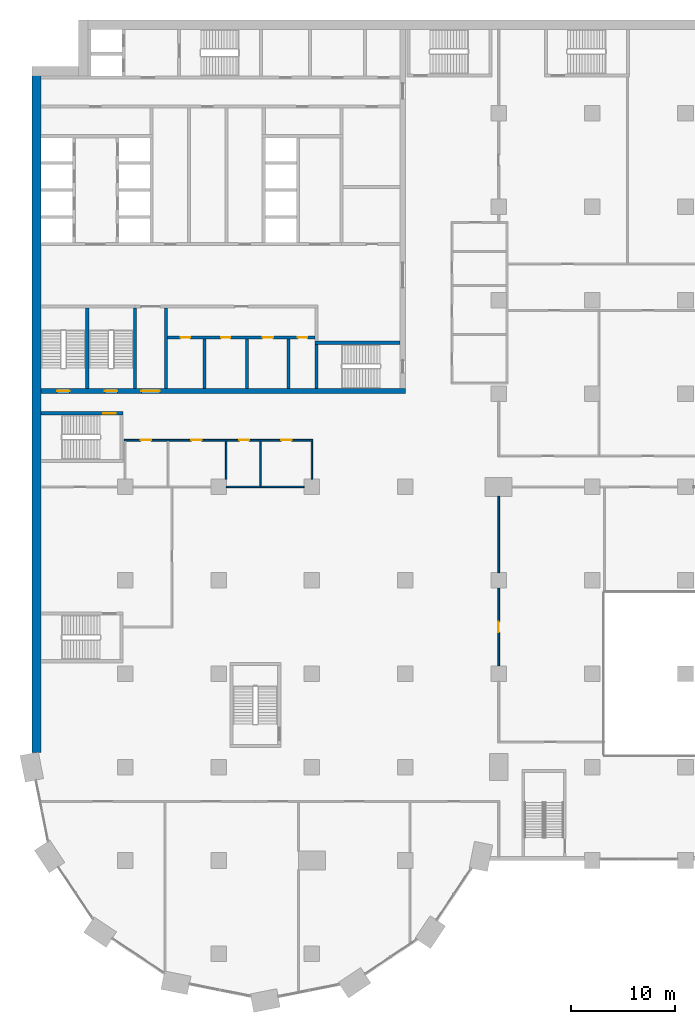
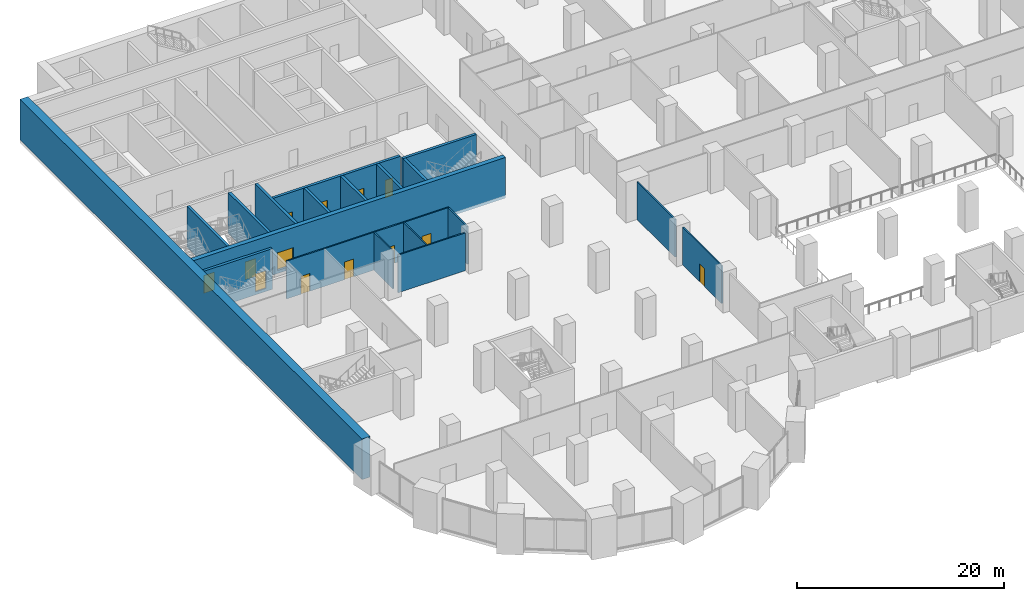
# One storey, part 24 of 49: 19 walls, 13 doors, 13 openings.
"""IFC4 building model written with IfcOpenShell, lengths in metres."""

from ifc_helpers import new_model, si_unit, direction, frame, frame_2d, origin, place, context, subcontext, project, spatial, rectangle, extrude, material, layer, layer_set, type_object, element, fill, save


model = new_model("IFC4")

# Units and contexts
model_context = context("Model", 3, precision=1e-05, world=origin(), true_north=direction((0.0, 1.0)))
body_context = subcontext(model_context, "Body", "Model", "MODEL_VIEW")
ifc_project = project(units=[si_unit("LENGTHUNIT", "METRE"), si_unit("AREAUNIT", "SQUARE_METRE"), si_unit("VOLUMEUNIT", "CUBIC_METRE"), si_unit("PLANEANGLEUNIT", "RADIAN"), si_unit("MASSUNIT", "GRAM", prefix="KILO")], contexts=[model_context])

# Site, building, storey
site_placement = place(None, origin())
site = spatial("IfcSite", under=ifc_project, at=site_placement, CompositionType="ELEMENT")
building_placement = place(site_placement, origin())
building = spatial("IfcBuilding", under=site, at=building_placement, Name="Hunhe Ridgeline Campus", CompositionType="ELEMENT")
storey_placement = place(building_placement, frame((0.0, 0.0, 21.60009765625)))
storey = spatial("IfcBuildingStorey", under=building, at=storey_placement, Name="L04", CompositionType="ELEMENT", Elevation=21.60009765625)

# Wall, opening, door
ifc_material_1 = material(Name="Plastered blockwork", Category="masonry")
ifc_layer_1 = layer(ifc_material_1, 0.14990234375)
ifc_layer_set_1 = layer_set([ifc_layer_1], Name="Blockwork partition 150")
wall_type_1 = type_object("IfcWallType", Name="Blockwork partition 150", PredefinedType="PARTITIONING", material=ifc_layer_set_1)
wall_1_placement = place(storey_placement, frame((45.0, 36.75, 0.0), z_axis=(0.0, 0.0, 1.0), x_axis=(0.0, 1.0, 0.0)))
wall_1 = element("IfcWall", 1, at=wall_1_placement, inside=storey, type_object=wall_type_1, Name="L04 partition", PredefinedType="PARTITIONING", context=body_context, shape_type="SweptSolid", body=[
    extrude(rectangle(XDim=7.5, YDim=0.14990234375, at=frame_2d((3.75, 0.0))), origin(), (0.0, 0.0, 1.0), 4.449951171875),
])
opening_1_placement = place(wall_1_placement, frame((3.25, 0.0, 0.0)))
opening_1 = element("IfcOpeningElement", 2, at=opening_1_placement, cuts=wall_1, Name="Opening PD509", PredefinedType="OPENING", context=body_context, shape_type="SweptSolid", body=[
    extrude(rectangle(XDim=1.0, YDim=2.10009765625, at=frame_2d((0.5, 1.050048828125))), frame((0.0, 0.074951171875, 0.0), z_axis=(0.0, -1.0, 0.0), x_axis=(1.0, 0.0, 0.0)), (0.0, 0.0, 1.0), 0.14990234375),
])
ifc_material_2 = material(Name="Timber", Category="wood")
door_type_1 = type_object("IfcDoorType", Name="Podium timber door 1000x2100", OperationType="NOTDEFINED", PredefinedType="DOOR", material=ifc_material_2)
door_1_placement = place(opening_1_placement, origin())
door_1 = element("IfcDoor", 3, at=door_1_placement, inside=storey, type_object=door_type_1, Name="Closed Stacks door", OperationType="SINGLE_SWING_RIGHT", OverallHeight=2.10009765625, OverallWidth=1.0, PredefinedType="DOOR", context=body_context, shape_type="SweptSolid", body=[
    extrude(rectangle(XDim=1.0, YDim=2.10009765625, at=frame_2d((0.5, 1.050048828125))), frame((0.0, 0.02490234375, 0.0), z_axis=(0.0, -1.0, 0.0), x_axis=(1.0, 0.0, 0.0)), (0.0, 0.0, 1.0), 0.050048828125),
])
fill(opening_1, door_1)

# Walls
wall_2_placement = place(storey_placement, frame((45.0, 45.75, 0.0), z_axis=(0.0, 0.0, 1.0), x_axis=(0.0, 1.0, 0.0)))
element("IfcWall", 4, at=wall_2_placement, inside=storey, type_object=wall_type_1, Name="L04 partition", PredefinedType="PARTITIONING", context=body_context, shape_type="SweptSolid", body=[
    extrude(rectangle(XDim=7.35009765625, YDim=0.14990234375, at=frame_2d((3.675048828125, 0.0))), origin(), (0.0, 0.0, 1.0), 4.449951171875),
])
wall_3_placement = place(storey_placement, frame((26.25, 54.0, 0.0), z_axis=(0.0, 0.0, 1.0), x_axis=(-1.0, 0.0, 0.0)))
element("IfcWall", 5, at=wall_3_placement, inside=storey, type_object=wall_type_1, Name="L04 partition", PredefinedType="PARTITIONING", context=body_context, shape_type="SweptSolid", body=[
    extrude(rectangle(XDim=7.5, YDim=0.14990234375, at=frame_2d((3.75, 0.0))), origin(), (0.0, 0.0, 1.0), 4.449951171875),
])

# Wall, openings, doors
wall_4_placement = place(storey_placement, frame((8.925048828125, 58.5, 0.0), z_axis=(0.0, 0.0, 1.0), x_axis=(1.0, 0.0, 0.0)))
wall_4 = element("IfcWall", 6, at=wall_4_placement, inside=storey, type_object=wall_type_1, Name="L04 partition", PredefinedType="PARTITIONING", context=body_context, shape_type="SweptSolid", body=[
    extrude(rectangle(XDim=18.14990234375, YDim=0.14990234375, at=frame_2d((9.074951171875, 0.0))), origin(), (0.0, 0.0, 1.0), 4.449951171875),
])
opening_2_placement = place(wall_4_placement, frame((1.574951171875, 0.0, 0.0)))
opening_2 = element("IfcOpeningElement", 7, at=opening_2_placement, cuts=wall_4, Name="Opening PD532", PredefinedType="OPENING", context=body_context, shape_type="SweptSolid", body=[
    extrude(rectangle(XDim=1.0, YDim=2.10009765625, at=frame_2d((0.5, 1.050048828125))), frame((0.0, 0.074951171875, 0.0), z_axis=(0.0, -1.0, 0.0), x_axis=(1.0, 0.0, 0.0)), (0.0, 0.0, 1.0), 0.14990234375),
])
opening_3_placement = place(wall_4_placement, frame((6.462890625, 0.0, 0.0)))
opening_3 = element("IfcOpeningElement", 8, at=opening_3_placement, cuts=wall_4, Name="Opening PD533", PredefinedType="OPENING", context=body_context, shape_type="SweptSolid", body=[
    extrude(rectangle(XDim=1.0, YDim=2.10009765625, at=frame_2d((0.5, 1.050048828125))), frame((0.0, 0.074951171875, 0.0), z_axis=(0.0, -1.0, 0.0), x_axis=(1.0, 0.0, 0.0)), (0.0, 0.0, 1.0), 0.14990234375),
])
opening_4_placement = place(wall_4_placement, frame((11.049072265625, 0.0, 0.0)))
opening_4 = element("IfcOpeningElement", 9, at=opening_4_placement, cuts=wall_4, Name="Opening PD534", PredefinedType="OPENING", context=body_context, shape_type="SweptSolid", body=[
    extrude(rectangle(XDim=1.0, YDim=2.10009765625, at=frame_2d((0.5, 1.050048828125))), frame((0.0, 0.074951171875, 0.0), z_axis=(0.0, -1.0, 0.0), x_axis=(1.0, 0.0, 0.0)), (0.0, 0.0, 1.0), 0.14990234375),
])
opening_5_placement = place(wall_4_placement, frame((15.10888671875, 0.0, 0.0)))
opening_5 = element("IfcOpeningElement", 10, at=opening_5_placement, cuts=wall_4, Name="Opening PD535", PredefinedType="OPENING", context=body_context, shape_type="SweptSolid", body=[
    extrude(rectangle(XDim=1.0, YDim=2.10009765625, at=frame_2d((0.5, 1.050048828125))), frame((0.0, 0.074951171875, 0.0), z_axis=(0.0, -1.0, 0.0), x_axis=(1.0, 0.0, 0.0)), (0.0, 0.0, 1.0), 0.14990234375),
])
door_2_placement = place(opening_2_placement, origin())
door_2 = element("IfcDoor", 11, at=door_2_placement, inside=storey, type_object=door_type_1, Name="Library Office door", OperationType="SINGLE_SWING_LEFT", OverallHeight=2.10009765625, OverallWidth=1.0, PredefinedType="DOOR", context=body_context, shape_type="SweptSolid", body=[
    extrude(rectangle(XDim=1.0, YDim=2.10009765625, at=frame_2d((0.5, 1.050048828125))), frame((0.0, 0.02490234375, 0.0), z_axis=(0.0, -1.0, 0.0), x_axis=(1.0, 0.0, 0.0)), (0.0, 0.0, 1.0), 0.050048828125),
])
fill(opening_2, door_2)
door_3_placement = place(opening_3_placement, origin())
door_3 = element("IfcDoor", 12, at=door_3_placement, inside=storey, type_object=door_type_1, Name="Library Office door", OperationType="SINGLE_SWING_LEFT", OverallHeight=2.10009765625, OverallWidth=1.0, PredefinedType="DOOR", context=body_context, shape_type="SweptSolid", body=[
    extrude(rectangle(XDim=1.0, YDim=2.10009765625, at=frame_2d((0.5, 1.050048828125))), frame((0.0, 0.02490234375, 0.0), z_axis=(0.0, -1.0, 0.0), x_axis=(1.0, 0.0, 0.0)), (0.0, 0.0, 1.0), 0.050048828125),
])
fill(opening_3, door_3)
door_4_placement = place(opening_4_placement, origin())
door_4 = element("IfcDoor", 13, at=door_4_placement, inside=storey, type_object=door_type_1, Name="Study Room door", OperationType="SINGLE_SWING_RIGHT", OverallHeight=2.10009765625, OverallWidth=1.0, PredefinedType="DOOR", context=body_context, shape_type="SweptSolid", body=[
    extrude(rectangle(XDim=1.0, YDim=2.10009765625, at=frame_2d((0.5, 1.050048828125))), frame((0.0, 0.02490234375, 0.0), z_axis=(0.0, -1.0, 0.0), x_axis=(1.0, 0.0, 0.0)), (0.0, 0.0, 1.0), 0.050048828125),
])
fill(opening_4, door_4)
door_5_placement = place(opening_5_placement, origin())
door_5 = element("IfcDoor", 14, at=door_5_placement, inside=storey, type_object=door_type_1, Name="Study Room door", OperationType="SINGLE_SWING_RIGHT", OverallHeight=2.10009765625, OverallWidth=1.0, PredefinedType="DOOR", context=body_context, shape_type="SweptSolid", body=[
    extrude(rectangle(XDim=1.0, YDim=2.10009765625, at=frame_2d((0.5, 1.050048828125))), frame((0.0, 0.02490234375, 0.0), z_axis=(0.0, -1.0, 0.0), x_axis=(1.0, 0.0, 0.0)), (0.0, 0.0, 1.0), 0.050048828125),
])
fill(opening_5, door_5)

# Walls
wall_5_placement = place(storey_placement, frame((18.72412109375, 54.75, 0.0), z_axis=(0.0, 0.0, 1.0), x_axis=(0.0, 1.0, 0.0)))
element("IfcWall", 15, at=wall_5_placement, inside=storey, type_object=wall_type_1, Name="L04 partition", PredefinedType="PARTITIONING", context=body_context, shape_type="SweptSolid", body=[
    extrude(rectangle(XDim=3.675048828125, YDim=0.14990234375, at=frame_2d((1.83740234375, 0.0))), origin(), (0.0, 0.0, 1.0), 4.449951171875),
])
wall_6_placement = place(storey_placement, frame((22.033935546875, 54.074951171875, 0.0), z_axis=(0.0, 0.0, 1.0), x_axis=(0.0, 1.0, 0.0)))
element("IfcWall", 16, at=wall_6_placement, inside=storey, type_object=wall_type_1, Name="L04 partition", PredefinedType="PARTITIONING", context=body_context, shape_type="SweptSolid", body=[
    extrude(rectangle(XDim=4.35009765625, YDim=0.14990234375, at=frame_2d((2.175048828125, 0.0))), origin(), (0.0, 0.0, 1.0), 4.449951171875),
])
wall_7_placement = place(storey_placement, frame((27.0, 58.425048828125, 0.0), z_axis=(0.0, 0.0, 1.0), x_axis=(0.0, -1.0, 0.0)))
element("IfcWall", 17, at=wall_7_placement, inside=storey, type_object=wall_type_1, Name="L04 partition", PredefinedType="PARTITIONING", context=body_context, shape_type="SweptSolid", body=[
    extrude(rectangle(XDim=3.675048828125, YDim=0.14990234375, at=frame_2d((1.83740234375, 0.0))), origin(), (0.0, 0.0, 1.0), 4.449951171875),
])

# Wall, openings, doors
ifc_material_3 = material(Name="Masonry concrete blockwork", Category="masonry")
ifc_layer_2 = layer(ifc_material_3, 0.300048828125)
ifc_layer_set_2 = layer_set([ifc_layer_2], Name="Core room partition 300 concrete block")
wall_type_2 = type_object("IfcWallType", Name="Core room partition 300 concrete block", PredefinedType="PARTITIONING", material=ifc_layer_set_2)
wall_8_placement = place(storey_placement, frame((13.10009765625, 68.39990234375, 0.0), z_axis=(0.0, 0.0, 1.0), x_axis=(1.0, 0.0, 0.0)))
wall_8 = element("IfcWall", 18, at=wall_8_placement, inside=storey, type_object=wall_type_2, Name="L04 core partition 10", PredefinedType="PARTITIONING", context=body_context, shape_type="SweptSolid", body=[
    extrude(rectangle(XDim=14.199951171875, YDim=0.300048828125, at=frame_2d((7.10009765625, 0.0))), origin(), (0.0, 0.0, 1.0), 4.449951171875),
])
opening_6_placement = place(wall_8_placement, frame((1.25, 0.0, 0.0)))
opening_6 = element("IfcOpeningElement", 19, at=opening_6_placement, cuts=wall_8, Name="Opening CD8", PredefinedType="OPENING", context=body_context, shape_type="SweptSolid", body=[
    extrude(rectangle(XDim=0.89990234375, YDim=2.10009765625, at=frame_2d((0.449951171875, 1.050048828125))), frame((0.0, 0.14990234375, 0.0), z_axis=(0.0, -1.0, 0.0), x_axis=(1.0, 0.0, 0.0)), (0.0, 0.0, 1.0), 0.300048828125),
])
opening_7_placement = place(wall_8_placement, frame((5.14990234375, 0.0, 0.0)))
opening_7 = element("IfcOpeningElement", 20, at=opening_7_placement, cuts=wall_8, Name="Opening CD9", PredefinedType="OPENING", context=body_context, shape_type="SweptSolid", body=[
    extrude(rectangle(XDim=0.89990234375, YDim=2.10009765625, at=frame_2d((0.449951171875, 1.050048828125))), frame((0.0, 0.14990234375, 0.0), z_axis=(0.0, -1.0, 0.0), x_axis=(1.0, 0.0, 0.0)), (0.0, 0.0, 1.0), 0.300048828125),
])
opening_8_placement = place(wall_8_placement, frame((9.14990234375, 0.0, 0.0)))
opening_8 = element("IfcOpeningElement", 21, at=opening_8_placement, cuts=wall_8, Name="Opening CD10", PredefinedType="OPENING", context=body_context, shape_type="SweptSolid", body=[
    extrude(rectangle(XDim=1.0, YDim=2.10009765625, at=frame_2d((0.5, 1.050048828125))), frame((0.0, 0.14990234375, 0.0), z_axis=(0.0, -1.0, 0.0), x_axis=(1.0, 0.0, 0.0)), (0.0, 0.0, 1.0), 0.300048828125),
])
opening_9_placement = place(wall_8_placement, frame((12.550048828125, 0.0, 0.0)))
opening_9 = element("IfcOpeningElement", 22, at=opening_9_placement, cuts=wall_8, Name="Opening CD11", PredefinedType="OPENING", context=body_context, shape_type="SweptSolid", body=[
    extrude(rectangle(XDim=0.89990234375, YDim=2.10009765625, at=frame_2d((0.449951171875, 1.050048828125))), frame((0.0, 0.14990234375, 0.0), z_axis=(0.0, -1.0, 0.0), x_axis=(1.0, 0.0, 0.0)), (0.0, 0.0, 1.0), 0.300048828125),
])
ifc_material_4 = material(Name="Solid core timber door leaf", Category="wood")
door_type_2 = type_object("IfcDoorType", Name="Timber door 1000x2100", OperationType="SINGLE_SWING_LEFT", PredefinedType="DOOR", material=ifc_material_4)
door_6_placement = place(opening_8_placement, frame((1.0, 0.0, 0.0), z_axis=(0.0, 0.0, 1.0), x_axis=(-1.0, 0.0, 0.0)))
door_6 = element("IfcDoor", 23, at=door_6_placement, inside=storey, type_object=door_type_2, Name="L04 door WC3", OperationType="SINGLE_SWING_RIGHT", OverallHeight=2.10009765625, OverallWidth=1.0, PredefinedType="DOOR", context=body_context, shape_type="SweptSolid", body=[
    extrude(rectangle(XDim=1.0, YDim=2.10009765625, at=frame_2d((0.5, 1.050048828125))), frame((0.0, 0.02490234375, 0.0), z_axis=(0.0, -1.0, 0.0), x_axis=(1.0, 0.0, 0.0)), (0.0, 0.0, 1.0), 0.050048828125),
])
fill(opening_8, door_6)
door_type_3 = type_object("IfcDoorType", Name="Timber door 900x2100", OperationType="SINGLE_SWING_LEFT", PredefinedType="DOOR", material=ifc_material_4)
door_7_placement = place(opening_6_placement, frame((0.89990234375, 0.0, 0.0), z_axis=(0.0, 0.0, 1.0), x_axis=(-1.0, 0.0, 0.0)))
door_7 = element("IfcDoor", 24, at=door_7_placement, inside=storey, type_object=door_type_3, Name="L04 door WC1", OperationType="SINGLE_SWING_RIGHT", OverallHeight=2.10009765625, OverallWidth=0.89990234375, PredefinedType="DOOR", context=body_context, shape_type="SweptSolid", body=[
    extrude(rectangle(XDim=0.89990234375, YDim=2.10009765625, at=frame_2d((0.449951171875, 1.050048828125))), frame((0.0, 0.02490234375, 0.0), z_axis=(0.0, -1.0, 0.0), x_axis=(1.0, 0.0, 0.0)), (0.0, 0.0, 1.0), 0.050048828125),
])
fill(opening_6, door_7)
door_8_placement = place(opening_7_placement, frame((0.89990234375, 0.0, 0.0), z_axis=(0.0, 0.0, 1.0), x_axis=(-1.0, 0.0, 0.0)))
door_8 = element("IfcDoor", 25, at=door_8_placement, inside=storey, type_object=door_type_3, Name="L04 door WC2", OperationType="SINGLE_SWING_LEFT", OverallHeight=2.10009765625, OverallWidth=0.89990234375, PredefinedType="DOOR", context=body_context, shape_type="SweptSolid", body=[
    extrude(rectangle(XDim=0.89990234375, YDim=2.10009765625, at=frame_2d((0.449951171875, 1.050048828125))), frame((0.0, 0.02490234375, 0.0), z_axis=(0.0, -1.0, 0.0), x_axis=(1.0, 0.0, 0.0)), (0.0, 0.0, 1.0), 0.050048828125),
])
fill(opening_7, door_8)
door_9_placement = place(opening_9_placement, frame((0.89990234375, 0.0, 0.0), z_axis=(0.0, 0.0, 1.0), x_axis=(-1.0, 0.0, 0.0)))
door_9 = element("IfcDoor", 26, at=door_9_placement, inside=storey, type_object=door_type_3, Name="L04 door WC4", OperationType="SINGLE_SWING_LEFT", OverallHeight=2.10009765625, OverallWidth=0.89990234375, PredefinedType="DOOR", context=body_context, shape_type="SweptSolid", body=[
    extrude(rectangle(XDim=0.89990234375, YDim=2.10009765625, at=frame_2d((0.449951171875, 1.050048828125))), frame((0.0, 0.02490234375, 0.0), z_axis=(0.0, -1.0, 0.0), x_axis=(1.0, 0.0, 0.0)), (0.0, 0.0, 1.0), 0.050048828125),
])
fill(opening_9, door_9)

# Walls
wall_9_placement = place(storey_placement, frame((12.949951171875, 63.5, 0.0), z_axis=(0.0, 0.0, 1.0), x_axis=(0.0, 1.0, 0.0)))
element("IfcWall", 27, at=wall_9_placement, inside=storey, type_object=wall_type_2, Name="L04 core partition 45", PredefinedType="PARTITIONING", context=body_context, shape_type="SweptSolid", body=[
    extrude(rectangle(XDim=7.75, YDim=0.300048828125, at=frame_2d((3.875, 0.0))), origin(), (0.0, 0.0, 1.0), 4.449951171875),
])
for number, where, z_axis, x_axis, name in (
    (28, (16.64990234375, 63.5, 0.0), (0.0, 0.0, 1.0), (0.0, 1.0, 0.0), "L04 core partition 48"),
    (29, (20.75, 63.5, 0.0), (0.0, 0.0, 1.0), (0.0, 1.0, 0.0), "L04 core partition 51"),
    (30, (24.75, 63.5, 0.0), (0.0, 0.0, 1.0), (0.0, 1.0, 0.0), "L04 core partition 56"),
):
    element("IfcWall", number, at=place(storey_placement, frame(where, z_axis=z_axis, x_axis=x_axis)), inside=storey, type_object=wall_type_2, Name=name, PredefinedType="PARTITIONING", context=body_context, shape_type="SweptSolid", body=[
        extrude(rectangle(XDim=4.75, YDim=0.300048828125, at=frame_2d((2.375, 0.0))), origin(), (0.0, 0.0, 1.0), 4.449951171875),
    ])

# Wall, openings, doors
ifc_material_5 = material(Name="Concrete C80", Category="concrete")
ifc_layer_3 = layer(ifc_material_5, 0.5)
ifc_layer_set_3 = layer_set([ifc_layer_3], Name="Core wall 500 reinforced concrete C80")
wall_type_3 = type_object("IfcWallType", Name="Core wall 500 reinforced concrete C80", PredefinedType="SOLIDWALL", material=ifc_layer_set_3)
wall_10_placement = place(storey_placement, frame((0.89990234375, 63.25, -0.35009765625), z_axis=(0.0, 0.0, 1.0), x_axis=(1.0, 0.0, 0.0)))
wall_10 = element("IfcWall", 31, at=wall_10_placement, inside=storey, type_object=wall_type_3, Name="L04 core wall 7", PredefinedType="SOLIDWALL", context=body_context, shape_type="SweptSolid", body=[
    extrude(rectangle(XDim=35.10009765625, YDim=0.5, at=frame_2d((17.550048828125, 0.0))), origin(), (0.0, 0.0, 1.0), 4.800048828125),
])
opening_10_placement = place(wall_10_placement, frame((9.64990234375, 0.0, 0.35009765625)))
opening_10 = element("IfcOpeningElement", 32, at=opening_10_placement, cuts=wall_10, Name="Opening CD6", PredefinedType="OPENING", context=body_context, shape_type="SweptSolid", body=[
    extrude(rectangle(XDim=1.800048828125, YDim=2.10009765625, at=frame_2d((0.89990234375, 1.050048828125))), frame((0.0, 0.25, 0.0), z_axis=(0.0, -1.0, 0.0), x_axis=(1.0, 0.0, 0.0)), (0.0, 0.0, 1.0), 0.5),
])
opening_11_placement = place(wall_10_placement, frame((1.550048828125, 0.0, 0.35009765625)))
opening_11 = element("IfcOpeningElement", 33, at=opening_11_placement, cuts=wall_10, Name="Opening CD13", PredefinedType="OPENING", context=body_context, shape_type="SweptSolid", body=[
    extrude(rectangle(XDim=1.199951171875, YDim=2.10009765625, at=frame_2d((0.60009765625, 1.050048828125))), frame((0.0, 0.25, 0.0), z_axis=(0.0, -1.0, 0.0), x_axis=(1.0, 0.0, 0.0)), (0.0, 0.0, 1.0), 0.5),
])
opening_12_placement = place(wall_10_placement, frame((6.14990234375, 0.0, 0.35009765625)))
opening_12 = element("IfcOpeningElement", 34, at=opening_12_placement, cuts=wall_10, Name="Opening CD14", PredefinedType="OPENING", context=body_context, shape_type="SweptSolid", body=[
    extrude(rectangle(XDim=1.199951171875, YDim=2.10009765625, at=frame_2d((0.60009765625, 1.050048828125))), frame((0.0, 0.25, 0.0), z_axis=(0.0, -1.0, 0.0), x_axis=(1.0, 0.0, 0.0)), (0.0, 0.0, 1.0), 0.5),
])
ifc_material_6 = material(Name="Anodised aluminium and glass", Category="aluminium")
door_type_4 = type_object("IfcDoorType", Name="Glazed double door 1800x2100", OperationType="DOUBLE_DOOR_SINGLE_SWING", PredefinedType="DOOR", material=ifc_material_6)
door_10_placement = place(opening_10_placement, frame((1.800048828125, 0.0, 0.0), z_axis=(0.0, 0.0, 1.0), x_axis=(-1.0, 0.0, 0.0)))
door_10 = element("IfcDoor", 35, at=door_10_placement, inside=storey, type_object=door_type_4, Name="L04 door VEST-FLOOR", OperationType="DOUBLE_DOOR_SINGLE_SWING", OverallHeight=2.10009765625, OverallWidth=1.800048828125, PredefinedType="DOOR", context=body_context, shape_type="SweptSolid", body=[
    extrude(rectangle(XDim=1.800048828125, YDim=2.10009765625, at=frame_2d((0.89990234375, 1.050048828125))), frame((0.0, 0.02490234375, 0.0), z_axis=(0.0, -1.0, 0.0), x_axis=(1.0, 0.0, 0.0)), (0.0, 0.0, 1.0), 0.050048828125),
])
fill(opening_10, door_10)
ifc_material_7 = material(Name="Hollow metal fire door leaf")
door_type_5 = type_object("IfcDoorType", Name="Stair door 1200x2100 FD60", OperationType="SINGLE_SWING_LEFT", PredefinedType="DOOR", material=ifc_material_7)
door_11_placement = place(opening_11_placement, frame((1.199951171875, 0.0, 0.0), z_axis=(0.0, 0.0, 1.0), x_axis=(-1.0, 0.0, 0.0)))
door_11 = element("IfcDoor", 36, at=door_11_placement, inside=storey, type_object=door_type_5, Name="L04 door S3", OperationType="SINGLE_SWING_RIGHT", OverallHeight=2.10009765625, OverallWidth=1.199951171875, PredefinedType="DOOR", context=body_context, shape_type="SweptSolid", body=[
    extrude(rectangle(XDim=1.199951171875, YDim=2.10009765625, at=frame_2d((0.60009765625, 1.050048828125))), frame((0.0, 0.02490234375, 0.0), z_axis=(0.0, -1.0, 0.0), x_axis=(1.0, 0.0, 0.0)), (0.0, 0.0, 1.0), 0.050048828125),
])
fill(opening_11, door_11)
door_12_placement = place(opening_12_placement, frame((1.199951171875, 0.0, 0.0), z_axis=(0.0, 0.0, 1.0), x_axis=(-1.0, 0.0, 0.0)))
door_12 = element("IfcDoor", 37, at=door_12_placement, inside=storey, type_object=door_type_5, Name="L04 door S4", OperationType="SINGLE_SWING_LEFT", OverallHeight=2.10009765625, OverallWidth=1.199951171875, PredefinedType="DOOR", context=body_context, shape_type="SweptSolid", body=[
    extrude(rectangle(XDim=1.199951171875, YDim=2.10009765625, at=frame_2d((0.60009765625, 1.050048828125))), frame((0.0, 0.02490234375, 0.0), z_axis=(0.0, -1.0, 0.0), x_axis=(1.0, 0.0, 0.0)), (0.0, 0.0, 1.0), 0.050048828125),
])
fill(opening_12, door_12)

# Wall
ifc_layer_4 = layer(ifc_material_5, 0.89990234375)
ifc_layer_set_4 = layer_set([ifc_layer_4], Name="Spine wall 900 Concrete C80")
wall_type_4 = type_object("IfcWallType", Name="Spine wall 900 Concrete C80", PredefinedType="SHEAR", material=ifc_layer_set_4)
wall_11_placement = place(storey_placement, frame((0.449951171875, 94.5, 0.0), z_axis=(0.0, 0.0, 1.0), x_axis=(0.0, -1.0, 0.0)))
element("IfcWall", 38, at=wall_11_placement, inside=storey, type_object=wall_type_4, Name="Spine wall SW1-1 L04", PredefinedType="SHEAR", context=body_context, shape_type="SweptSolid", body=[
    extrude(rectangle(XDim=66.0849609375, YDim=0.89990234375, at=frame_2d((33.04248046875, 0.0))), origin(), (0.0, 0.0, 1.0), 4.7998046875),
])

# Wall, opening, door
ifc_layer_5 = layer(ifc_material_5, 0.300048828125)
ifc_layer_set_5 = layer_set([ifc_layer_5], Name="Stair wall 300 reinforced concrete C80")
wall_type_5 = type_object("IfcWallType", Name="Stair wall 300 reinforced concrete C80", PredefinedType="SOLIDWALL", material=ifc_layer_set_5)
wall_12_placement = place(storey_placement, frame((0.89990234375, 61.10009765625, -0.35009765625), z_axis=(0.0, 0.0, 1.0), x_axis=(1.0, 0.0, 0.0)))
wall_12 = element("IfcWall", 39, at=wall_12_placement, inside=storey, type_object=wall_type_5, Name="L04 core wall 6", PredefinedType="SOLIDWALL", context=body_context, shape_type="SweptSolid", body=[
    extrude(rectangle(XDim=7.900146484375, YDim=0.300048828125, at=frame_2d((3.9501953125, 0.0))), origin(), (0.0, 0.0, 1.0), 4.800048828125),
])
opening_13_placement = place(wall_12_placement, frame((6.0, 0.0, 0.35009765625)))
opening_13 = element("IfcOpeningElement", 40, at=opening_13_placement, cuts=wall_12, Name="Opening CD22", PredefinedType="OPENING", context=body_context, shape_type="SweptSolid", body=[
    extrude(rectangle(XDim=1.199951171875, YDim=2.10009765625, at=frame_2d((0.60009765625, 1.050048828125))), frame((0.0, 0.14990234375, 0.0), z_axis=(0.0, -1.0, 0.0), x_axis=(1.0, 0.0, 0.0)), (0.0, 0.0, 1.0), 0.300048828125),
])
door_13_placement = place(opening_13_placement, origin())
door_13 = element("IfcDoor", 41, at=door_13_placement, inside=storey, type_object=door_type_5, Name="L04 door W2", OperationType="SINGLE_SWING_RIGHT", OverallHeight=2.10009765625, OverallWidth=1.199951171875, PredefinedType="DOOR", context=body_context, shape_type="SweptSolid", body=[
    extrude(rectangle(XDim=1.199951171875, YDim=2.10009765625, at=frame_2d((0.60009765625, 1.050048828125))), frame((0.0, 0.02490234375, 0.0), z_axis=(0.0, -1.0, 0.0), x_axis=(1.0, 0.0, 0.0)), (0.0, 0.0, 1.0), 0.050048828125),
])
fill(opening_13, door_13)

# Walls
wall_13_placement = place(storey_placement, frame((27.300048828125, 67.89990234375, -0.35009765625), z_axis=(0.0, 0.0, 1.0), x_axis=(1.0, 0.0, 0.0)))
element("IfcWall", 42, at=wall_13_placement, inside=storey, type_object=wall_type_5, Name="L04 core wall 9", PredefinedType="SOLIDWALL", context=body_context, shape_type="SweptSolid", body=[
    extrude(rectangle(XDim=8.199951171875, YDim=0.300048828125, at=frame_2d((4.10009765625, 0.0))), origin(), (0.0, 0.0, 1.0), 4.800048828125),
])
for number, where, z_axis, x_axis, name in (
    (43, (5.35009765625, 63.5, -0.35009765625), (0.0, 0.0, 1.0), (0.0, 1.0, 0.0), "L04 core wall 36"),
    (44, (9.949951171875, 63.5, -0.35009765625), (0.0, 0.0, 1.0), (0.0, 1.0, 0.0), "L04 core wall 42"),
):
    element("IfcWall", number, at=place(storey_placement, frame(where, z_axis=z_axis, x_axis=x_axis)), inside=storey, type_object=wall_type_5, Name=name, PredefinedType="SOLIDWALL", context=body_context, shape_type="SweptSolid", body=[
        extrude(rectangle(XDim=7.75, YDim=0.300048828125, at=frame_2d((3.875, 0.0))), origin(), (0.0, 0.0, 1.0), 4.800048828125),
    ])
wall_14_placement = place(storey_placement, frame((27.449951171875, 63.5, -0.35009765625), z_axis=(0.0, 0.0, 1.0), x_axis=(0.0, 1.0, 0.0)))
element("IfcWall", 45, at=wall_14_placement, inside=storey, type_object=wall_type_5, Name="L04 core wall 59", PredefinedType="SOLIDWALL", context=body_context, shape_type="SweptSolid", body=[
    extrude(rectangle(XDim=4.25, YDim=0.300048828125, at=frame_2d((2.125, 0.0))), origin(), (0.0, 0.0, 1.0), 4.800048828125),
])

save(model, "model.ifc")
